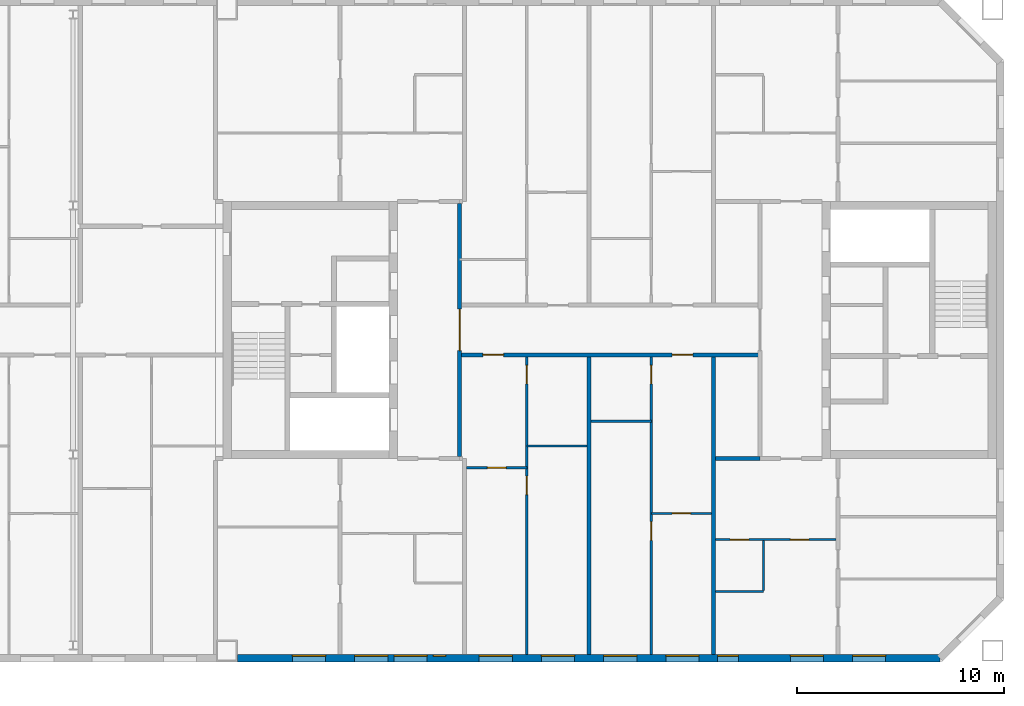
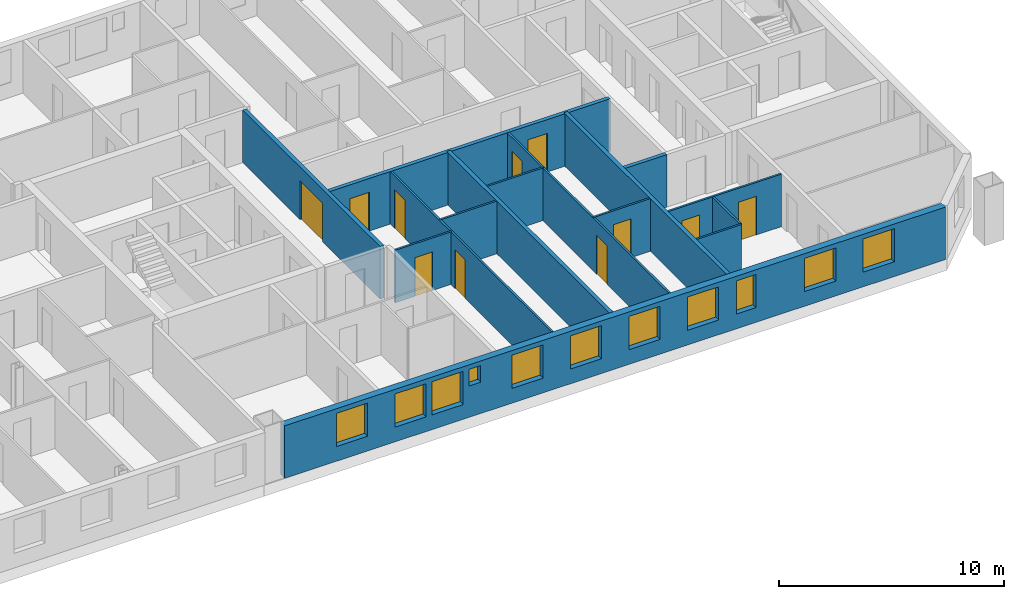
# One storey, part 14 of 19: 15 walls, 11 doors, 11 windows, 22 openings.
"""IFC4 building model written with IfcOpenShell, lengths in metres."""

from ifc_helpers import new_model, si_unit, direction, frame, frame_2d, origin, place, context, subcontext, project, spatial, rectangle, extrude, material, layer, layer_set, type_object, element, fill, save


model = new_model("IFC4")

# Units and contexts
model_context = context("Model", 3, precision=1e-05, world=origin(), true_north=direction((0.0, 1.0)))
body_context = subcontext(model_context, "Body", "Model", "MODEL_VIEW")
ifc_project = project(units=[si_unit("LENGTHUNIT", "METRE"), si_unit("AREAUNIT", "SQUARE_METRE"), si_unit("VOLUMEUNIT", "CUBIC_METRE"), si_unit("PLANEANGLEUNIT", "RADIAN"), si_unit("MASSUNIT", "GRAM", prefix="KILO")], contexts=[model_context])

# Site, building, storey
site_placement = place(None, origin())
site = spatial("IfcSite", under=ifc_project, at=site_placement, CompositionType="ELEMENT")
building_placement = place(site_placement, origin())
building = spatial("IfcBuilding", under=site, at=building_placement, Name="Tuart Gate Housing", CompositionType="ELEMENT")
storey_placement = place(building_placement, frame((0.0, 0.0, 221.39990234375)))
storey = spatial("IfcBuildingStorey", under=building, at=storey_placement, Name="L62", CompositionType="ELEMENT", Elevation=221.39990234375)

# Wall, openings, windows
ifc_material_1 = material(Name="Brick", Category="masonry")
ifc_layer_1 = layer(ifc_material_1, 0.360107421875)
ifc_layer_set_1 = layer_set([ifc_layer_1], Name="Brick pier and spandrel wall 360")
wall_type_1 = type_object("IfcWallType", Name="Brick pier and spandrel wall 360", PredefinedType="STANDARD", material=ifc_layer_set_1)
wall_1_placement = place(storey_placement, frame((132.050048828125, 54.179931640625, 0.0), z_axis=(0.0, 0.0, 1.0), x_axis=(1.0, 0.0, 0.0)))
wall_1 = element("IfcWall", 1, at=wall_1_placement, inside=storey, type_object=wall_type_1, Name="External wall BLK-S L62", PredefinedType="STANDARD", context=body_context, shape_type="SweptSolid", body=[
    extrude(rectangle(XDim=33.87548828125, YDim=0.360107421875, at=frame_2d((16.937744140625, 0.0))), origin(), (0.0, 0.0, 1.0), 2.85009765625),
])
opening_1_placement = place(wall_1_placement, frame((2.64990234375, 0.0, 0.800048828125)))
opening_1 = element("IfcOpeningElement", 2, at=opening_1_placement, cuts=wall_1, Name="Opening W1", PredefinedType="OPENING", context=body_context, shape_type="SweptSolid", body=[
    extrude(rectangle(XDim=1.60009765625, YDim=1.800048828125, at=frame_2d((0.800048828125, 0.89990234375))), frame((0.0, 0.18994140625, 0.0), z_axis=(0.0, -1.0, 0.0), x_axis=(1.0, 0.0, 0.0)), (0.0, 0.0, 1.0), 0.380126953125),
])
opening_2_placement = place(wall_1_placement, frame((5.64990234375, 0.0, 0.800048828125)))
opening_2 = element("IfcOpeningElement", 3, at=opening_2_placement, cuts=wall_1, Name="Opening W1", PredefinedType="OPENING", context=body_context, shape_type="SweptSolid", body=[
    extrude(rectangle(XDim=1.60009765625, YDim=1.800048828125, at=frame_2d((0.800048828125, 0.89990234375))), frame((0.0, 0.18994140625, 0.0), z_axis=(0.0, -1.0, 0.0), x_axis=(1.0, 0.0, 0.0)), (0.0, 0.0, 1.0), 0.380126953125),
])
opening_3_placement = place(wall_1_placement, frame((7.550048828125, 0.0, 0.800048828125)))
opening_3 = element("IfcOpeningElement", 4, at=opening_3_placement, cuts=wall_1, Name="Opening W1", PredefinedType="OPENING", context=body_context, shape_type="SweptSolid", body=[
    extrude(rectangle(XDim=1.60009765625, YDim=1.800048828125, at=frame_2d((0.800048828125, 0.89990234375))), frame((0.0, 0.18994140625, 0.0), z_axis=(0.0, -1.0, 0.0), x_axis=(1.0, 0.0, 0.0)), (0.0, 0.0, 1.0), 0.380126953125),
])
opening_4_placement = place(wall_1_placement, frame((11.64990234375, 0.0, 0.800048828125)))
opening_4 = element("IfcOpeningElement", 5, at=opening_4_placement, cuts=wall_1, Name="Opening W1", PredefinedType="OPENING", context=body_context, shape_type="SweptSolid", body=[
    extrude(rectangle(XDim=1.60009765625, YDim=1.800048828125, at=frame_2d((0.800048828125, 0.89990234375))), frame((0.0, 0.18994140625, 0.0), z_axis=(0.0, -1.0, 0.0), x_axis=(1.0, 0.0, 0.0)), (0.0, 0.0, 1.0), 0.380126953125),
])
opening_5_placement = place(wall_1_placement, frame((14.64990234375, 0.0, 0.800048828125)))
opening_5 = element("IfcOpeningElement", 6, at=opening_5_placement, cuts=wall_1, Name="Opening W1", PredefinedType="OPENING", context=body_context, shape_type="SweptSolid", body=[
    extrude(rectangle(XDim=1.60009765625, YDim=1.800048828125, at=frame_2d((0.800048828125, 0.89990234375))), frame((0.0, 0.18994140625, 0.0), z_axis=(0.0, -1.0, 0.0), x_axis=(1.0, 0.0, 0.0)), (0.0, 0.0, 1.0), 0.380126953125),
])
opening_6_placement = place(wall_1_placement, frame((17.64990234375, 0.0, 0.800048828125)))
opening_6 = element("IfcOpeningElement", 7, at=opening_6_placement, cuts=wall_1, Name="Opening W1", PredefinedType="OPENING", context=body_context, shape_type="SweptSolid", body=[
    extrude(rectangle(XDim=1.60009765625, YDim=1.800048828125, at=frame_2d((0.800048828125, 0.89990234375))), frame((0.0, 0.18994140625, 0.0), z_axis=(0.0, -1.0, 0.0), x_axis=(1.0, 0.0, 0.0)), (0.0, 0.0, 1.0), 0.380126953125),
])
opening_7_placement = place(wall_1_placement, frame((20.64990234375, 0.0, 0.800048828125)))
opening_7 = element("IfcOpeningElement", 8, at=opening_7_placement, cuts=wall_1, Name="Opening W1", PredefinedType="OPENING", context=body_context, shape_type="SweptSolid", body=[
    extrude(rectangle(XDim=1.60009765625, YDim=1.800048828125, at=frame_2d((0.800048828125, 0.89990234375))), frame((0.0, 0.18994140625, 0.0), z_axis=(0.0, -1.0, 0.0), x_axis=(1.0, 0.0, 0.0)), (0.0, 0.0, 1.0), 0.380126953125),
])
opening_8_placement = place(wall_1_placement, frame((23.14990234375, 0.0, 0.800048828125)))
opening_8 = element("IfcOpeningElement", 9, at=opening_8_placement, cuts=wall_1, Name="Opening W1C", PredefinedType="OPENING", context=body_context, shape_type="SweptSolid", body=[
    extrude(rectangle(XDim=1.0, YDim=1.800048828125, at=frame_2d((0.5, 0.89990234375))), frame((0.0, 0.18994140625, 0.0), z_axis=(0.0, -1.0, 0.0), x_axis=(1.0, 0.0, 0.0)), (0.0, 0.0, 1.0), 0.380126953125),
])
opening_9_placement = place(wall_1_placement, frame((26.64990234375, 0.0, 0.800048828125)))
opening_9 = element("IfcOpeningElement", 10, at=opening_9_placement, cuts=wall_1, Name="Opening W1", PredefinedType="OPENING", context=body_context, shape_type="SweptSolid", body=[
    extrude(rectangle(XDim=1.60009765625, YDim=1.800048828125, at=frame_2d((0.800048828125, 0.89990234375))), frame((0.0, 0.18994140625, 0.0), z_axis=(0.0, -1.0, 0.0), x_axis=(1.0, 0.0, 0.0)), (0.0, 0.0, 1.0), 0.380126953125),
])
opening_10_placement = place(wall_1_placement, frame((29.64990234375, 0.0, 0.800048828125)))
opening_10 = element("IfcOpeningElement", 11, at=opening_10_placement, cuts=wall_1, Name="Opening W1", PredefinedType="OPENING", context=body_context, shape_type="SweptSolid", body=[
    extrude(rectangle(XDim=1.60009765625, YDim=1.800048828125, at=frame_2d((0.800048828125, 0.89990234375))), frame((0.0, 0.18994140625, 0.0), z_axis=(0.0, -1.0, 0.0), x_axis=(1.0, 0.0, 0.0)), (0.0, 0.0, 1.0), 0.380126953125),
])
opening_11_placement = place(wall_1_placement, frame((9.449951171875, 0.0, 1.699951171875)))
opening_11 = element("IfcOpeningElement", 12, at=opening_11_placement, cuts=wall_1, Name="Opening W1W", PredefinedType="OPENING", context=body_context, shape_type="SweptSolid", body=[
    extrude(rectangle(XDim=0.60009765625, YDim=0.89990234375, at=frame_2d((0.300048828125, 0.449951171875))), frame((0.0, 0.18994140625, 0.0), z_axis=(0.0, -1.0, 0.0), x_axis=(1.0, 0.0, 0.0)), (0.0, 0.0, 1.0), 0.380126953125),
])
ifc_material_2 = material(Name="Aluminium frame with clear glass", Category="aluminium")
window_type_1 = type_object("IfcWindowType", Name="Punched window 1000 x 1800", PartitioningType="SINGLE_PANEL", PredefinedType="WINDOW", material=ifc_material_2)
window_1_placement = place(opening_8_placement, origin())
window_1 = element("IfcWindow", 13, at=window_1_placement, inside=storey, type_object=window_type_1, Name="Window W1C", OverallHeight=1.800048828125, OverallWidth=1.0, PartitioningType="SINGLE_PANEL", PredefinedType="WINDOW", context=body_context, shape_type="SweptSolid", body=[
    extrude(rectangle(XDim=1.0, YDim=1.800048828125, at=frame_2d((0.5, 0.89990234375))), frame((0.0, 0.150146484375, 0.0), z_axis=(0.0, -1.0, 0.0), x_axis=(1.0, 0.0, 0.0)), (0.0, 0.0, 1.0), 0.06005859375),
])
fill(opening_8, window_1)
ifc_material_3 = material(Name="Aluminium frame with clear glass", Category="aluminium")
window_type_2 = type_object("IfcWindowType", Name="Punched window 1600 x 1800", PartitioningType="SINGLE_PANEL", PredefinedType="WINDOW", material=ifc_material_3)
window_2_placement = place(opening_1_placement, origin())
window_2 = element("IfcWindow", 14, at=window_2_placement, inside=storey, type_object=window_type_2, Name="Window W1", OverallHeight=1.800048828125, OverallWidth=1.60009765625, PartitioningType="SINGLE_PANEL", PredefinedType="WINDOW", context=body_context, shape_type="SweptSolid", body=[
    extrude(rectangle(XDim=1.60009765625, YDim=1.800048828125, at=frame_2d((0.800048828125, 0.89990234375))), frame((0.0, 0.150146484375, 0.0), z_axis=(0.0, -1.0, 0.0), x_axis=(1.0, 0.0, 0.0)), (0.0, 0.0, 1.0), 0.06005859375),
])
fill(opening_1, window_2)
window_3_placement = place(opening_2_placement, origin())
window_3 = element("IfcWindow", 15, at=window_3_placement, inside=storey, type_object=window_type_2, Name="Window W1", OverallHeight=1.800048828125, OverallWidth=1.60009765625, PartitioningType="SINGLE_PANEL", PredefinedType="WINDOW", context=body_context, shape_type="SweptSolid", body=[
    extrude(rectangle(XDim=1.60009765625, YDim=1.800048828125, at=frame_2d((0.800048828125, 0.89990234375))), frame((0.0, 0.150146484375, 0.0), z_axis=(0.0, -1.0, 0.0), x_axis=(1.0, 0.0, 0.0)), (0.0, 0.0, 1.0), 0.06005859375),
])
fill(opening_2, window_3)
window_4_placement = place(opening_3_placement, origin())
window_4 = element("IfcWindow", 16, at=window_4_placement, inside=storey, type_object=window_type_2, Name="Window W1", OverallHeight=1.800048828125, OverallWidth=1.60009765625, PartitioningType="SINGLE_PANEL", PredefinedType="WINDOW", context=body_context, shape_type="SweptSolid", body=[
    extrude(rectangle(XDim=1.60009765625, YDim=1.800048828125, at=frame_2d((0.800048828125, 0.89990234375))), frame((0.0, 0.150146484375, 0.0), z_axis=(0.0, -1.0, 0.0), x_axis=(1.0, 0.0, 0.0)), (0.0, 0.0, 1.0), 0.06005859375),
])
fill(opening_3, window_4)
window_5_placement = place(opening_4_placement, origin())
window_5 = element("IfcWindow", 17, at=window_5_placement, inside=storey, type_object=window_type_2, Name="Window W1", OverallHeight=1.800048828125, OverallWidth=1.60009765625, PartitioningType="SINGLE_PANEL", PredefinedType="WINDOW", context=body_context, shape_type="SweptSolid", body=[
    extrude(rectangle(XDim=1.60009765625, YDim=1.800048828125, at=frame_2d((0.800048828125, 0.89990234375))), frame((0.0, 0.150146484375, 0.0), z_axis=(0.0, -1.0, 0.0), x_axis=(1.0, 0.0, 0.0)), (0.0, 0.0, 1.0), 0.06005859375),
])
fill(opening_4, window_5)
window_6_placement = place(opening_5_placement, origin())
window_6 = element("IfcWindow", 18, at=window_6_placement, inside=storey, type_object=window_type_2, Name="Window W1", OverallHeight=1.800048828125, OverallWidth=1.60009765625, PartitioningType="SINGLE_PANEL", PredefinedType="WINDOW", context=body_context, shape_type="SweptSolid", body=[
    extrude(rectangle(XDim=1.60009765625, YDim=1.800048828125, at=frame_2d((0.800048828125, 0.89990234375))), frame((0.0, 0.150146484375, 0.0), z_axis=(0.0, -1.0, 0.0), x_axis=(1.0, 0.0, 0.0)), (0.0, 0.0, 1.0), 0.06005859375),
])
fill(opening_5, window_6)
window_7_placement = place(opening_6_placement, origin())
window_7 = element("IfcWindow", 19, at=window_7_placement, inside=storey, type_object=window_type_2, Name="Window W1", OverallHeight=1.800048828125, OverallWidth=1.60009765625, PartitioningType="SINGLE_PANEL", PredefinedType="WINDOW", context=body_context, shape_type="SweptSolid", body=[
    extrude(rectangle(XDim=1.60009765625, YDim=1.800048828125, at=frame_2d((0.800048828125, 0.89990234375))), frame((0.0, 0.150146484375, 0.0), z_axis=(0.0, -1.0, 0.0), x_axis=(1.0, 0.0, 0.0)), (0.0, 0.0, 1.0), 0.06005859375),
])
fill(opening_6, window_7)
window_8_placement = place(opening_7_placement, origin())
window_8 = element("IfcWindow", 20, at=window_8_placement, inside=storey, type_object=window_type_2, Name="Window W1", OverallHeight=1.800048828125, OverallWidth=1.60009765625, PartitioningType="SINGLE_PANEL", PredefinedType="WINDOW", context=body_context, shape_type="SweptSolid", body=[
    extrude(rectangle(XDim=1.60009765625, YDim=1.800048828125, at=frame_2d((0.800048828125, 0.89990234375))), frame((0.0, 0.150146484375, 0.0), z_axis=(0.0, -1.0, 0.0), x_axis=(1.0, 0.0, 0.0)), (0.0, 0.0, 1.0), 0.06005859375),
])
fill(opening_7, window_8)
window_9_placement = place(opening_9_placement, origin())
window_9 = element("IfcWindow", 21, at=window_9_placement, inside=storey, type_object=window_type_2, Name="Window W1", OverallHeight=1.800048828125, OverallWidth=1.60009765625, PartitioningType="SINGLE_PANEL", PredefinedType="WINDOW", context=body_context, shape_type="SweptSolid", body=[
    extrude(rectangle(XDim=1.60009765625, YDim=1.800048828125, at=frame_2d((0.800048828125, 0.89990234375))), frame((0.0, 0.150146484375, 0.0), z_axis=(0.0, -1.0, 0.0), x_axis=(1.0, 0.0, 0.0)), (0.0, 0.0, 1.0), 0.06005859375),
])
fill(opening_9, window_9)
window_10_placement = place(opening_10_placement, origin())
window_10 = element("IfcWindow", 22, at=window_10_placement, inside=storey, type_object=window_type_2, Name="Window W1", OverallHeight=1.800048828125, OverallWidth=1.60009765625, PartitioningType="SINGLE_PANEL", PredefinedType="WINDOW", context=body_context, shape_type="SweptSolid", body=[
    extrude(rectangle(XDim=1.60009765625, YDim=1.800048828125, at=frame_2d((0.800048828125, 0.89990234375))), frame((0.0, 0.150146484375, 0.0), z_axis=(0.0, -1.0, 0.0), x_axis=(1.0, 0.0, 0.0)), (0.0, 0.0, 1.0), 0.06005859375),
])
fill(opening_10, window_10)
ifc_material_4 = material(Name="Aluminium frame with clear glass", Category="aluminium")
window_type_3 = type_object("IfcWindowType", Name="Punched window 600 x 900", PartitioningType="SINGLE_PANEL", PredefinedType="WINDOW", material=ifc_material_4)
window_11_placement = place(opening_11_placement, origin())
window_11 = element("IfcWindow", 23, at=window_11_placement, inside=storey, type_object=window_type_3, Name="Window W1W", OverallHeight=0.89990234375, OverallWidth=0.60009765625, PartitioningType="SINGLE_PANEL", PredefinedType="WINDOW", context=body_context, shape_type="SweptSolid", body=[
    extrude(rectangle(XDim=0.60009765625, YDim=0.89990234375, at=frame_2d((0.300048828125, 0.449951171875))), frame((0.0, 0.150146484375, 0.0), z_axis=(0.0, -1.0, 0.0), x_axis=(1.0, 0.0, 0.0)), (0.0, 0.0, 1.0), 0.06005859375),
])
fill(opening_11, window_11)

# Wall, openings, doors
ifc_material_5 = material(Name="Concrete masonry 15 MPa", Category="masonry")
ifc_layer_2 = layer(ifc_material_5, 0.199951171875)
ifc_layer_set_2 = layer_set([ifc_layer_2], Name="Corridor wall masonry 200")
wall_type_2 = type_object("IfcWallType", Name="Corridor wall masonry 200", PredefinedType="PARTITIONING", material=ifc_layer_set_2)
wall_2_placement = place(storey_placement, frame((142.760009765625, 68.800048828125, 0.0), z_axis=(0.0, 0.0, 1.0), x_axis=(1.0, 0.0, 0.0)))
wall_2 = element("IfcWall", 24, at=wall_2_placement, inside=storey, type_object=wall_type_2, Name="Corridor wall masonry 200", PredefinedType="PARTITIONING", context=body_context, shape_type="SweptSolid", body=[
    extrude(rectangle(XDim=14.47998046875, YDim=0.199951171875, at=frame_2d((7.239990234375, 0.0))), origin(), (0.0, 0.0, 1.0), 2.85009765625),
])
opening_12_placement = place(wall_2_placement, frame((1.1201171875, 0.0, 0.0)))
opening_12 = element("IfcOpeningElement", 25, at=opening_12_placement, cuts=wall_2, Name="Opening D2422", PredefinedType="OPENING", context=body_context, shape_type="SweptSolid", body=[
    extrude(rectangle(XDim=1.0, YDim=2.10009765625, at=frame_2d((0.5, 1.050048828125))), frame((0.0, 0.10986328125, 0.0), z_axis=(0.0, -1.0, 0.0), x_axis=(1.0, 0.0, 0.0)), (0.0, 0.0, 1.0), 0.219970703125),
])
opening_13_placement = place(wall_2_placement, frame((10.239990234375, 0.0, 0.0)))
opening_13 = element("IfcOpeningElement", 26, at=opening_13_placement, cuts=wall_2, Name="Opening D2423", PredefinedType="OPENING", context=body_context, shape_type="SweptSolid", body=[
    extrude(rectangle(XDim=1.0, YDim=2.10009765625, at=frame_2d((0.5, 1.050048828125))), frame((0.0, 0.10986328125, 0.0), z_axis=(0.0, -1.0, 0.0), x_axis=(1.0, 0.0, 0.0)), (0.0, 0.0, 1.0), 0.219970703125),
])
ifc_material_6 = material(Name="Timber door leaf in steel frame", Category="steel")
door_type_1 = type_object("IfcDoorType", Name="Flat entrance door 1000 RH", OperationType="SINGLE_SWING_RIGHT", PredefinedType="DOOR", material=ifc_material_6)
door_1_placement = place(opening_12_placement, frame((1.0, 0.0, 0.0), z_axis=(0.0, 0.0, 1.0), x_axis=(-1.0, 0.0, 0.0)))
door_1 = element("IfcDoor", 27, at=door_1_placement, inside=storey, type_object=door_type_1, Name="Flat entrance door", OperationType="SINGLE_SWING_RIGHT", OverallHeight=2.10009765625, OverallWidth=1.0, PredefinedType="DOOR", context=body_context, shape_type="SweptSolid", body=[
    extrude(rectangle(XDim=1.0, YDim=2.10009765625, at=frame_2d((0.5, 1.050048828125))), frame((0.0, 0.025146484375, 0.0), z_axis=(0.0, -1.0, 0.0), x_axis=(1.0, 0.0, 0.0)), (0.0, 0.0, 1.0), 0.050048828125),
])
fill(opening_12, door_1)
door_2_placement = place(opening_13_placement, frame((1.0, 0.0, 0.0), z_axis=(0.0, 0.0, 1.0), x_axis=(-1.0, 0.0, 0.0)))
door_2 = element("IfcDoor", 28, at=door_2_placement, inside=storey, type_object=door_type_1, Name="Flat entrance door", OperationType="SINGLE_SWING_RIGHT", OverallHeight=2.10009765625, OverallWidth=1.0, PredefinedType="DOOR", context=body_context, shape_type="SweptSolid", body=[
    extrude(rectangle(XDim=1.0, YDim=2.10009765625, at=frame_2d((0.5, 1.050048828125))), frame((0.0, 0.025146484375, 0.0), z_axis=(0.0, -1.0, 0.0), x_axis=(1.0, 0.0, 0.0)), (0.0, 0.0, 1.0), 0.050048828125),
])
fill(opening_13, door_2)

# Wall, opening, door
ifc_material_7 = material(Name="Plasterboard partition")
ifc_layer_3 = layer(ifc_material_7, 0.199951171875)
ifc_layer_set_3 = layer_set([ifc_layer_3], Name="Lobby wall 200")
wall_type_3 = type_object("IfcWallType", Name="Lobby wall 200", PredefinedType="PARTITIONING", material=ifc_layer_set_3)
wall_3_placement = place(storey_placement, frame((142.760009765625, 63.89990234375, 0.0), z_axis=(0.0, 0.0, 1.0), x_axis=(0.0, 1.0, 0.0)))
wall_3 = element("IfcWall", 29, at=wall_3_placement, inside=storey, type_object=wall_type_3, Name="Lift lobby wall BG", PredefinedType="PARTITIONING", context=body_context, shape_type="SweptSolid", body=[
    extrude(rectangle(XDim=12.2001953125, YDim=0.199951171875, at=frame_2d((6.10009765625, 0.0))), origin(), (0.0, 0.0, 1.0), 2.85009765625),
])
opening_14_placement = place(wall_3_placement, frame((5.10009765625, 0.0, 0.0)))
opening_14 = element("IfcOpeningElement", 30, at=opening_14_placement, cuts=wall_3, Name="Opening D2415", PredefinedType="OPENING", context=body_context, shape_type="SweptSolid", body=[
    extrude(rectangle(XDim=2.0, YDim=2.10009765625, at=frame_2d((1.0, 1.050048828125))), frame((0.0, 0.10986328125, 0.0), z_axis=(0.0, -1.0, 0.0), x_axis=(1.0, 0.0, 0.0)), (0.0, 0.0, 1.0), 0.219970703125),
])
ifc_material_8 = material(Name="Steel fire door", Category="steel")
door_type_2 = type_object("IfcDoorType", Name="Smoke door 2000 x 2100", OperationType="DOUBLE_DOOR_SINGLE_SWING", PredefinedType="DOOR", material=ifc_material_8)
door_3_placement = place(opening_14_placement, origin())
door_3 = element("IfcDoor", 31, at=door_3_placement, inside=storey, type_object=door_type_2, Name="Lift lobby smoke door BG", OperationType="DOUBLE_DOOR_SINGLE_SWING", OverallHeight=2.10009765625, OverallWidth=2.0, PredefinedType="DOOR", context=body_context, shape_type="SweptSolid", body=[
    extrude(rectangle(XDim=2.0, YDim=2.10009765625, at=frame_2d((1.0, 1.050048828125))), frame((0.0, 0.02490234375, 0.0), z_axis=(0.0, -1.0, 0.0), x_axis=(1.0, 0.0, 0.0)), (0.0, 0.0, 1.0), 0.050048828125),
])
fill(opening_14, door_3)

# Wall
ifc_material_9 = material(Name="Gypsum board on steel studs", Category="steel")
ifc_layer_4 = layer(ifc_material_9, 0.10009765625)
ifc_layer_set_4 = layer_set([ifc_layer_4], Name="Partition 100")
wall_type_4 = type_object("IfcWallType", Name="Partition 100", PredefinedType="PARTITIONING", material=ifc_layer_set_4)
wall_4_placement = place(storey_placement, frame((155.10009765625, 57.39990234375, 0.0), z_axis=(0.0, 0.0, 1.0), x_axis=(1.0, 0.0, 0.0)))
element("IfcWall", 32, at=wall_4_placement, inside=storey, type_object=wall_type_4, Name="Partition 100", PredefinedType="PARTITIONING", context=body_context, shape_type="SweptSolid", body=[
    extrude(rectangle(XDim=2.2998046875, YDim=0.10009765625, at=frame_2d((1.14990234375, 0.0))), origin(), (0.0, 0.0, 1.0), 2.85009765625),
])

# Wall, openings, doors
wall_5_placement = place(storey_placement, frame((155.10009765625, 59.89990234375, 0.0), z_axis=(0.0, 0.0, 1.0), x_axis=(1.0, 0.0, 0.0)))
wall_5 = element("IfcWall", 33, at=wall_5_placement, inside=storey, type_object=wall_type_4, Name="Partition 100", PredefinedType="PARTITIONING", context=body_context, shape_type="SweptSolid", body=[
    extrude(rectangle(XDim=5.7998046875, YDim=0.10009765625, at=frame_2d((2.89990234375, 0.0))), origin(), (0.0, 0.0, 1.0), 2.85009765625),
])
opening_15_placement = place(wall_5_placement, frame((3.60009765625, 0.0, 0.0)))
opening_15 = element("IfcOpeningElement", 34, at=opening_15_placement, cuts=wall_5, Name="Opening D2437", PredefinedType="OPENING", context=body_context, shape_type="SweptSolid", body=[
    extrude(rectangle(XDim=0.89990234375, YDim=2.10009765625, at=frame_2d((0.449951171875, 1.050048828125))), frame((0.0, 0.06005859375, 0.0), z_axis=(0.0, -1.0, 0.0), x_axis=(1.0, 0.0, 0.0)), (0.0, 0.0, 1.0), 0.1201171875),
])
opening_16_placement = place(wall_5_placement, frame((0.699951171875, 0.0, 0.0)))
opening_16 = element("IfcOpeningElement", 35, at=opening_16_placement, cuts=wall_5, Name="Opening D2436", PredefinedType="OPENING", context=body_context, shape_type="SweptSolid", body=[
    extrude(rectangle(XDim=0.89990234375, YDim=2.10009765625, at=frame_2d((0.449951171875, 1.050048828125))), frame((0.0, 0.06005859375, 0.0), z_axis=(0.0, -1.0, 0.0), x_axis=(1.0, 0.0, 0.0)), (0.0, 0.0, 1.0), 0.1201171875),
])
ifc_material_10 = material(Name="Timber door leaf in steel frame", Category="steel")
door_type_3 = type_object("IfcDoorType", Name="Bathroom door 900", OperationType="SINGLE_SWING_LEFT", PredefinedType="DOOR", material=ifc_material_10)
door_4_placement = place(opening_16_placement, frame((0.89990234375, 0.0, 0.0), z_axis=(0.0, 0.0, 1.0), x_axis=(-1.0, 0.0, 0.0)))
door_4 = element("IfcDoor", 36, at=door_4_placement, inside=storey, type_object=door_type_3, Name="Bathroom door", OperationType="SINGLE_SWING_LEFT", OverallHeight=2.10009765625, OverallWidth=0.89990234375, PredefinedType="DOOR", context=body_context, shape_type="SweptSolid", body=[
    extrude(rectangle(XDim=0.89990234375, YDim=2.10009765625, at=frame_2d((0.449951171875, 1.050048828125))), frame((0.0, 0.025146484375, 0.0), z_axis=(0.0, -1.0, 0.0), x_axis=(1.0, 0.0, 0.0)), (0.0, 0.0, 1.0), 0.050048828125),
])
fill(opening_16, door_4)
ifc_material_11 = material(Name="Timber door leaf in steel frame", Category="steel")
door_type_4 = type_object("IfcDoorType", Name="Internal door 900 RH", OperationType="SINGLE_SWING_RIGHT", PredefinedType="DOOR", material=ifc_material_11)
door_5_placement = place(opening_15_placement, origin())
door_5 = element("IfcDoor", 37, at=door_5_placement, inside=storey, type_object=door_type_4, Name="Internal door", OperationType="SINGLE_SWING_RIGHT", OverallHeight=2.10009765625, OverallWidth=0.89990234375, PredefinedType="DOOR", context=body_context, shape_type="SweptSolid", body=[
    extrude(rectangle(XDim=0.89990234375, YDim=2.10009765625, at=frame_2d((0.449951171875, 1.050048828125))), frame((0.0, 0.02490234375, 0.0), z_axis=(0.0, -1.0, 0.0), x_axis=(1.0, 0.0, 0.0)), (0.0, 0.0, 1.0), 0.050048828125),
])
fill(opening_15, door_5)

# Wall, opening, door
wall_6_placement = place(storey_placement, frame((152.0, 61.159912109375, 0.0), z_axis=(0.0, 0.0, 1.0), x_axis=(1.0, 0.0, 0.0)))
wall_6 = element("IfcWall", 38, at=wall_6_placement, inside=storey, type_object=wall_type_4, Name="Partition 100", PredefinedType="PARTITIONING", context=body_context, shape_type="SweptSolid", body=[
    extrude(rectangle(XDim=2.89990234375, YDim=0.10009765625, at=frame_2d((1.449951171875, 0.0))), origin(), (0.0, 0.0, 1.0), 2.85009765625),
])
opening_17_placement = place(wall_6_placement, frame((1.0, 0.0, 0.0)))
opening_17 = element("IfcOpeningElement", 39, at=opening_17_placement, cuts=wall_6, Name="Opening D2433", PredefinedType="OPENING", context=body_context, shape_type="SweptSolid", body=[
    extrude(rectangle(XDim=0.89990234375, YDim=2.10009765625, at=frame_2d((0.449951171875, 1.050048828125))), frame((0.0, 0.06005859375, 0.0), z_axis=(0.0, -1.0, 0.0), x_axis=(1.0, 0.0, 0.0)), (0.0, 0.0, 1.0), 0.1201171875),
])
ifc_material_12 = material(Name="Timber door leaf in steel frame", Category="steel")
door_type_5 = type_object("IfcDoorType", Name="Internal door 900", OperationType="SINGLE_SWING_LEFT", PredefinedType="DOOR", material=ifc_material_12)
door_6_placement = place(opening_17_placement, origin())
door_6 = element("IfcDoor", 40, at=door_6_placement, inside=storey, type_object=door_type_5, Name="Internal door", OperationType="SINGLE_SWING_LEFT", OverallHeight=2.10009765625, OverallWidth=0.89990234375, PredefinedType="DOOR", context=body_context, shape_type="SweptSolid", body=[
    extrude(rectangle(XDim=0.89990234375, YDim=2.10009765625, at=frame_2d((0.449951171875, 1.050048828125))), frame((0.0, 0.02490234375, 0.0), z_axis=(0.0, -1.0, 0.0), x_axis=(1.0, 0.0, 0.0)), (0.0, 0.0, 1.0), 0.050048828125),
])
fill(opening_17, door_6)

wall_7_placement = place(storey_placement, frame((143.10009765625, 63.360107421875, 0.0), z_axis=(0.0, 0.0, 1.0), x_axis=(1.0, 0.0, 0.0)))
wall_7 = element("IfcWall", 41, at=wall_7_placement, inside=storey, type_object=wall_type_4, Name="Partition 100", PredefinedType="PARTITIONING", context=body_context, shape_type="SweptSolid", body=[
    extrude(rectangle(XDim=2.89990234375, YDim=0.10009765625, at=frame_2d((1.449951171875, 0.0))), origin(), (0.0, 0.0, 1.0), 2.85009765625),
])
opening_18_placement = place(wall_7_placement, frame((1.0, 0.0, 0.0)))
opening_18 = element("IfcOpeningElement", 42, at=opening_18_placement, cuts=wall_7, Name="Opening D2428", PredefinedType="OPENING", context=body_context, shape_type="SweptSolid", body=[
    extrude(rectangle(XDim=0.89990234375, YDim=2.10009765625, at=frame_2d((0.449951171875, 1.050048828125))), frame((0.0, 0.06005859375, 0.0), z_axis=(0.0, -1.0, 0.0), x_axis=(1.0, 0.0, 0.0)), (0.0, 0.0, 1.0), 0.1201171875),
])
door_7_placement = place(opening_18_placement, origin())
door_7 = element("IfcDoor", 43, at=door_7_placement, inside=storey, type_object=door_type_4, Name="Internal door", OperationType="SINGLE_SWING_RIGHT", OverallHeight=2.10009765625, OverallWidth=0.89990234375, PredefinedType="DOOR", context=body_context, shape_type="SweptSolid", body=[
    extrude(rectangle(XDim=0.89990234375, YDim=2.10009765625, at=frame_2d((0.449951171875, 1.050048828125))), frame((0.0, 0.02490234375, 0.0), z_axis=(0.0, -1.0, 0.0), x_axis=(1.0, 0.0, 0.0)), (0.0, 0.0, 1.0), 0.050048828125),
])
fill(opening_18, door_7)

# Walls
for number, where, z_axis, x_axis, name in (
    (44, (146.0, 64.39990234375, 0.0), (0.0, 0.0, 1.0), (1.0, 0.0, 0.0), "Partition 100"),
    (45, (149.10009765625, 65.60009765625, 0.0), (0.0, 0.0, 1.0), (1.0, 0.0, 0.0), "Partition 100"),
):
    element("IfcWall", number, at=place(storey_placement, frame(where, z_axis=z_axis, x_axis=x_axis)), inside=storey, type_object=wall_type_4, Name=name, PredefinedType="PARTITIONING", context=body_context, shape_type="SweptSolid", body=[
        extrude(rectangle(XDim=2.89990234375, YDim=0.10009765625, at=frame_2d((1.449951171875, 0.0))), origin(), (0.0, 0.0, 1.0), 2.85009765625),
    ])

# Wall, openings, doors
wall_8_placement = place(storey_placement, frame((146.0, 54.360107421875, 0.0), z_axis=(0.0, 0.0, 1.0), x_axis=(0.0, 1.0, 0.0)))
wall_8 = element("IfcWall", 46, at=wall_8_placement, inside=storey, type_object=wall_type_4, Name="Partition 100", PredefinedType="PARTITIONING", context=body_context, shape_type="SweptSolid", body=[
    extrude(rectangle(XDim=14.33984375, YDim=0.10009765625, at=frame_2d((7.169921875, 0.0))), origin(), (0.0, 0.0, 1.0), 2.85009765625),
])
opening_19_placement = place(wall_8_placement, frame((7.699951171875, 0.0, 0.0)))
opening_19 = element("IfcOpeningElement", 47, at=opening_19_placement, cuts=wall_8, Name="Opening D2430", PredefinedType="OPENING", context=body_context, shape_type="SweptSolid", body=[
    extrude(rectangle(XDim=0.89990234375, YDim=2.10009765625, at=frame_2d((0.449951171875, 1.050048828125))), frame((0.0, 0.06005859375, 0.0), z_axis=(0.0, -1.0, 0.0), x_axis=(1.0, 0.0, 0.0)), (0.0, 0.0, 1.0), 0.1201171875),
])
opening_20_placement = place(wall_8_placement, frame((13.0400390625, 0.0, 0.0)))
opening_20 = element("IfcOpeningElement", 48, at=opening_20_placement, cuts=wall_8, Name="Opening D2429", PredefinedType="OPENING", context=body_context, shape_type="SweptSolid", body=[
    extrude(rectangle(XDim=0.89990234375, YDim=2.10009765625, at=frame_2d((0.449951171875, 1.050048828125))), frame((0.0, 0.06005859375, 0.0), z_axis=(0.0, -1.0, 0.0), x_axis=(1.0, 0.0, 0.0)), (0.0, 0.0, 1.0), 0.1201171875),
])
door_8_placement = place(opening_20_placement, frame((0.89990234375, 0.0, 0.0), z_axis=(0.0, 0.0, 1.0), x_axis=(-1.0, 0.0, 0.0)))
door_8 = element("IfcDoor", 49, at=door_8_placement, inside=storey, type_object=door_type_3, Name="Bathroom door", OperationType="SINGLE_SWING_LEFT", OverallHeight=2.10009765625, OverallWidth=0.89990234375, PredefinedType="DOOR", context=body_context, shape_type="SweptSolid", body=[
    extrude(rectangle(XDim=0.89990234375, YDim=2.10009765625, at=frame_2d((0.449951171875, 1.050048828125))), frame((0.0, 0.025146484375, 0.0), z_axis=(0.0, -1.0, 0.0), x_axis=(1.0, 0.0, 0.0)), (0.0, 0.0, 1.0), 0.050048828125),
])
fill(opening_20, door_8)
door_9_placement = place(opening_19_placement, frame((0.89990234375, 0.0, 0.0), z_axis=(0.0, 0.0, 1.0), x_axis=(-1.0, 0.0, 0.0)))
door_9 = element("IfcDoor", 50, at=door_9_placement, inside=storey, type_object=door_type_5, Name="Internal door", OperationType="SINGLE_SWING_LEFT", OverallHeight=2.10009765625, OverallWidth=0.89990234375, PredefinedType="DOOR", context=body_context, shape_type="SweptSolid", body=[
    extrude(rectangle(XDim=0.89990234375, YDim=2.10009765625, at=frame_2d((0.449951171875, 1.050048828125))), frame((0.0, 0.025146484375, 0.0), z_axis=(0.0, -1.0, 0.0), x_axis=(1.0, 0.0, 0.0)), (0.0, 0.0, 1.0), 0.050048828125),
])
fill(opening_19, door_9)

wall_9_placement = place(storey_placement, frame((152.0, 54.360107421875, 0.0), z_axis=(0.0, 0.0, 1.0), x_axis=(0.0, 1.0, 0.0)))
wall_9 = element("IfcWall", 51, at=wall_9_placement, inside=storey, type_object=wall_type_4, Name="Partition 100", PredefinedType="PARTITIONING", context=body_context, shape_type="SweptSolid", body=[
    extrude(rectangle(XDim=14.33984375, YDim=0.10009765625, at=frame_2d((7.169921875, 0.0))), origin(), (0.0, 0.0, 1.0), 2.85009765625),
])
opening_21_placement = place(wall_9_placement, frame((5.5, 0.0, 0.0)))
opening_21 = element("IfcOpeningElement", 52, at=opening_21_placement, cuts=wall_9, Name="Opening D2432", PredefinedType="OPENING", context=body_context, shape_type="SweptSolid", body=[
    extrude(rectangle(XDim=0.89990234375, YDim=2.10009765625, at=frame_2d((0.449951171875, 1.050048828125))), frame((0.0, 0.06005859375, 0.0), z_axis=(0.0, -1.0, 0.0), x_axis=(1.0, 0.0, 0.0)), (0.0, 0.0, 1.0), 0.1201171875),
])
opening_22_placement = place(wall_9_placement, frame((13.0400390625, 0.0, 0.0)))
opening_22 = element("IfcOpeningElement", 53, at=opening_22_placement, cuts=wall_9, Name="Opening D2431", PredefinedType="OPENING", context=body_context, shape_type="SweptSolid", body=[
    extrude(rectangle(XDim=0.89990234375, YDim=2.10009765625, at=frame_2d((0.449951171875, 1.050048828125))), frame((0.0, 0.06005859375, 0.0), z_axis=(0.0, -1.0, 0.0), x_axis=(1.0, 0.0, 0.0)), (0.0, 0.0, 1.0), 0.1201171875),
])
ifc_material_13 = material(Name="Timber door leaf in steel frame", Category="steel")
door_type_6 = type_object("IfcDoorType", Name="Bathroom door 900 RH", OperationType="SINGLE_SWING_RIGHT", PredefinedType="DOOR", material=ifc_material_13)
door_10_placement = place(opening_22_placement, origin())
door_10 = element("IfcDoor", 54, at=door_10_placement, inside=storey, type_object=door_type_6, Name="Bathroom door", OperationType="SINGLE_SWING_RIGHT", OverallHeight=2.10009765625, OverallWidth=0.89990234375, PredefinedType="DOOR", context=body_context, shape_type="SweptSolid", body=[
    extrude(rectangle(XDim=0.89990234375, YDim=2.10009765625, at=frame_2d((0.449951171875, 1.050048828125))), frame((0.0, 0.02490234375, 0.0), z_axis=(0.0, -1.0, 0.0), x_axis=(1.0, 0.0, 0.0)), (0.0, 0.0, 1.0), 0.050048828125),
])
fill(opening_22, door_10)
door_11_placement = place(opening_21_placement, origin())
door_11 = element("IfcDoor", 55, at=door_11_placement, inside=storey, type_object=door_type_4, Name="Internal door", OperationType="SINGLE_SWING_RIGHT", OverallHeight=2.10009765625, OverallWidth=0.89990234375, PredefinedType="DOOR", context=body_context, shape_type="SweptSolid", body=[
    extrude(rectangle(XDim=0.89990234375, YDim=2.10009765625, at=frame_2d((0.449951171875, 1.050048828125))), frame((0.0, 0.02490234375, 0.0), z_axis=(0.0, -1.0, 0.0), x_axis=(1.0, 0.0, 0.0)), (0.0, 0.0, 1.0), 0.050048828125),
])
fill(opening_21, door_11)

# Walls
wall_10_placement = place(storey_placement, frame((157.39990234375, 57.449951171875, 0.0), z_axis=(0.0, 0.0, 1.0), x_axis=(0.0, 1.0, 0.0)))
element("IfcWall", 56, at=wall_10_placement, inside=storey, type_object=wall_type_4, Name="Partition 100", PredefinedType="PARTITIONING", context=body_context, shape_type="SweptSolid", body=[
    extrude(rectangle(XDim=2.400146484375, YDim=0.10009765625, at=frame_2d((1.2001953125, 0.0))), origin(), (0.0, 0.0, 1.0), 2.85009765625),
])
ifc_material_14 = material(Name="Concrete C40", Category="concrete")
ifc_layer_5 = layer(ifc_material_14, 0.199951171875)
ifc_layer_set_5 = layer_set([ifc_layer_5], Name="Party wall concrete C40 200")
wall_type_5 = type_object("IfcWallType", Name="Party wall concrete C40 200", PredefinedType="SOLIDWALL", material=ifc_layer_set_5)
for number, where, z_axis, x_axis, name in (
    (57, (149.0, 54.360107421875, 0.0), (0.0, 0.0, 1.0), (0.0, 1.0, 0.0), "Party wall concrete C40 200"),
    (58, (155.0, 54.360107421875, 0.0), (0.0, 0.0, 1.0), (0.0, 1.0, 0.0), "Party wall concrete C40 200"),
):
    element("IfcWall", number, at=place(storey_placement, frame(where, z_axis=z_axis, x_axis=x_axis)), inside=storey, type_object=wall_type_5, Name=name, PredefinedType="SOLIDWALL", context=body_context, shape_type="SweptSolid", body=[
        extrude(rectangle(XDim=14.43994140625, YDim=0.199951171875, at=frame_2d((7.219970703125, 0.0))), origin(), (0.0, 0.0, 1.0), 2.85009765625),
    ])
ifc_material_15 = material(Name="Concrete masonry 15 MPa", Category="masonry")
ifc_layer_6 = layer(ifc_material_15, 0.199951171875)
ifc_layer_set_6 = layer_set([ifc_layer_6], Name="Party wall masonry 200")
wall_type_6 = type_object("IfcWallType", Name="Party wall masonry 200", PredefinedType="PARTITIONING", material=ifc_layer_set_6)
wall_11_placement = place(storey_placement, frame((155.10009765625, 63.800048828125, 0.0), z_axis=(0.0, 0.0, 1.0), x_axis=(1.0, 0.0, 0.0)))
element("IfcWall", 59, at=wall_11_placement, inside=storey, type_object=wall_type_6, Name="Party wall masonry 200", PredefinedType="PARTITIONING", context=body_context, shape_type="SweptSolid", body=[
    extrude(rectangle(XDim=2.139892578125, YDim=0.199951171875, at=frame_2d((1.06982421875, 0.0))), origin(), (0.0, 0.0, 1.0), 2.85009765625),
])

save(model, "model.ifc")
